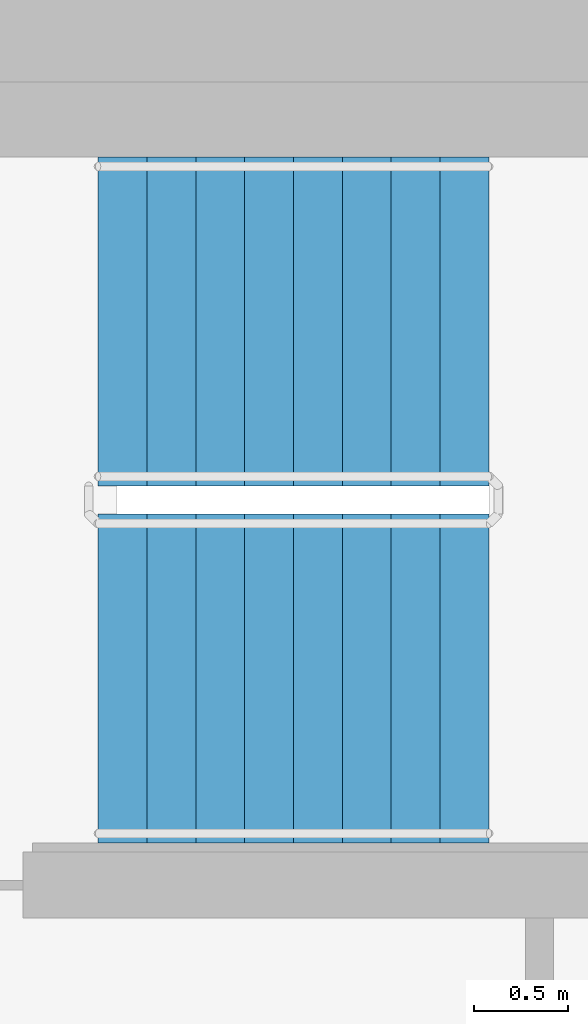
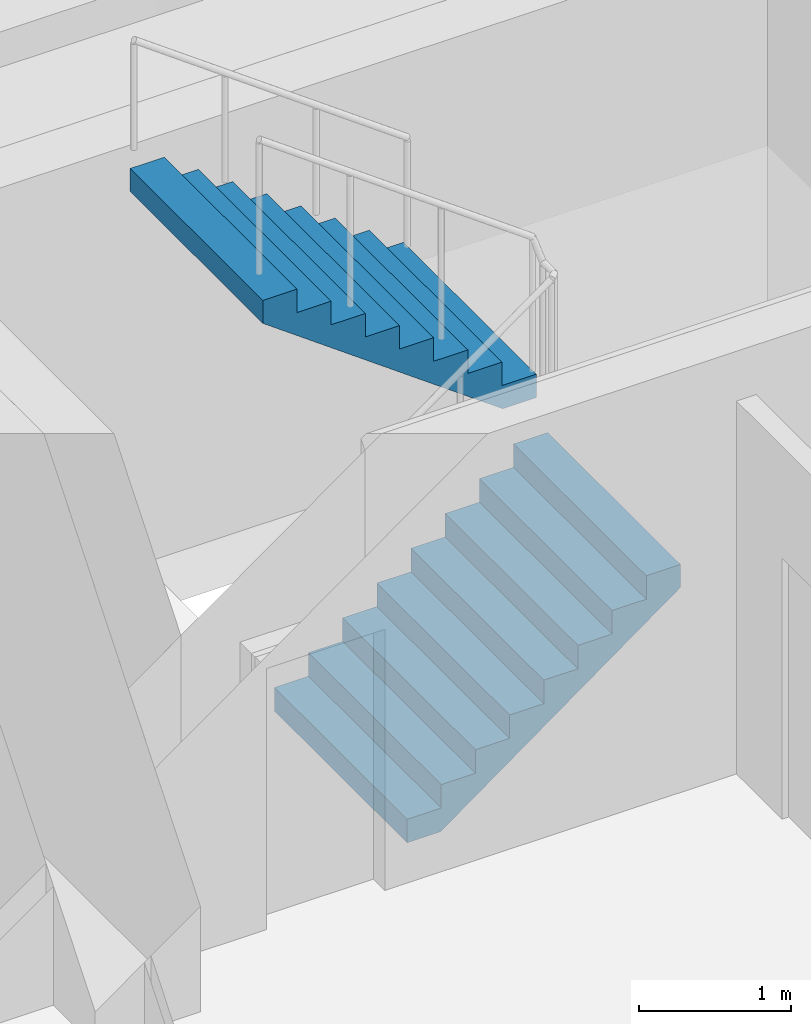
# One storey, part 14 of 19: 2 stair flights, 1 element without a shape of its own.
"""IFC4 building model written with IfcOpenShell, lengths in metres."""

import ifcopenshell
import ifcopenshell.guid

model = None  # the IFC model being written
_history = None  # IfcOwnerHistory: only IFC2X3 demands one
_inside = {}  # id of a spatial element -> (the spatial element, [elements in it])
_under = {}  # id of a project, library or spatial element -> (it, [spatial elements below it])
_declared = {}  # id of a project -> (the project, [libraries it declares])
_typed = {}  # id of a type object -> (the type object, [elements of that type])
_made_of = {}  # id of a material, layer set ... -> (it, [elements and type objects made of it])


def new_model(schema):
    """Start an empty IFC model of exactly this schema.

    Asked for "IFC4X3", IfcOpenShell would pick the latest addendum, in which some entities
    have other attributes; the version numbers below select the first issue.
    IFC2X3 requires an IfcOwnerHistory on every rooted entity: one is made here for all.
    """
    global model, _history
    if schema == "IFC4X3":
        model = ifcopenshell.file(schema_version=(4, 3, 0, 0))
    else:
        model = ifcopenshell.file(schema=schema)
    _inside.clear()
    _under.clear()
    _declared.clear()
    _typed.clear()
    _made_of.clear()
    _history = None
    if model.schema == "IFC2X3":
        org = make("IfcOrganization", Name="unknown")
        user = make(
            "IfcPersonAndOrganization",
            ThePerson=make("IfcPerson", FamilyName="unknown"),
            TheOrganization=org,
        )
        app = make(
            "IfcApplication",
            ApplicationDeveloper=org,
            Version="unknown",
            ApplicationFullName="unknown",
            ApplicationIdentifier="unknown",
        )
        _history = make(
            "IfcOwnerHistory",
            OwningUser=user,
            OwningApplication=app,
            ChangeAction="ADDED",
            CreationDate=0,
        )
    return model


def make(cls, **values):
    """One entity of the class cls with the attributes given. An attribute that is None is left unset."""
    return model.create_entity(
        cls, **{name: value for name, value in values.items() if value is not None}
    )


def rooted(cls, **values):
    """An entity with a GlobalId (a new one), such as an element, a storey or a relation."""
    return make(cls, GlobalId=ifcopenshell.guid.new(), OwnerHistory=_history, **values)


def si_unit(unit_type, name, prefix=None):
    """IfcSIUnit, for example si_unit("LENGTHUNIT", "METRE", prefix="MILLI")."""
    return make("IfcSIUnit", UnitType=unit_type, Prefix=prefix, Name=name)


def assignment(units):
    """IfcUnitAssignment: the units of a project."""
    return None if units is None else make("IfcUnitAssignment", Units=units)


def point(xyz):
    """IfcCartesianPoint."""
    return None if xyz is None else make("IfcCartesianPoint", Coordinates=xyz)


def direction(xyz):
    """IfcDirection."""
    return None if xyz is None else make("IfcDirection", DirectionRatios=xyz)


def frame(location, z_axis=None, x_axis=None):
    """IfcAxis2Placement3D, a coordinate frame: its origin and axes. An axis left out is left unset."""
    return make(
        "IfcAxis2Placement3D",
        Location=point(location),
        Axis=direction(z_axis),
        RefDirection=direction(x_axis),
    )


def origin():
    """The frame at (0, 0, 0) with its axes left unset."""
    return frame((0.0, 0.0, 0.0))


def place(relative_to, where):
    """IfcLocalPlacement: puts the frame where relative to a parent placement (None: the world)."""
    return make(
        "IfcLocalPlacement", PlacementRelTo=relative_to, RelativePlacement=where
    )


def context(
    kind, dimensions, precision=None, world=None, true_north=None, identifier=None
):
    """IfcGeometricRepresentationContext, for example the 3D "Model" context."""
    return make(
        "IfcGeometricRepresentationContext",
        ContextIdentifier=identifier,
        ContextType=kind,
        CoordinateSpaceDimension=dimensions,
        Precision=precision,
        WorldCoordinateSystem=world,
        TrueNorth=true_north,
    )


def subcontext(parent, identifier, kind, view, scale=None):
    """IfcGeometricRepresentationSubContext, for example "Body" below "Model"."""
    return make(
        "IfcGeometricRepresentationSubContext",
        ContextIdentifier=identifier,
        ContextType=kind,
        ParentContext=parent,
        TargetScale=scale,
        TargetView=view,
    )


def project(units=None, contexts=None):
    """IfcProject with its units and contexts."""
    return rooted(
        "IfcProject",
        Name="project",
        RepresentationContexts=contexts,
        UnitsInContext=assignment(units),
    )


def spatial(cls, under=None, at=None, **own):
    """A site, building, storey or space (cls), placed at a placement, below another one or the project."""
    s = rooted(cls, ObjectPlacement=at, **own)
    if under is not None:
        _under.setdefault(under.id(), (under, []))[1].append(s)
    return s


def faces_of(points, faces, orient=None, outer=None):
    """IfcFace entities. A face is a list of loops; a loop is a list of indices into points, from 0.

    orient and outer hold one flag for each loop. By default every Orientation is true, the
    first loop of a face is its IfcFaceOuterBound and the others are IfcFaceBound.
    """
    made = []
    for i, loops in enumerate(faces):
        bounds = []
        for j, loop in enumerate(loops):
            is_outer = j == 0 if outer is None else outer[i][j]
            bounds.append(
                make(
                    "IfcFaceOuterBound" if is_outer else "IfcFaceBound",
                    Bound=make("IfcPolyLoop", Polygon=[points[k] for k in loop]),
                    Orientation=True if orient is None else orient[i][j],
                )
            )
        made.append(make("IfcFace", Bounds=bounds))
    return made


def faceted_brep(points, faces, orient=None, outer=None, voids=None):
    """IfcFacetedBrep: a solid bounded by flat faces; with voids (closed shells), ...WithVoids."""
    shared = [point(p) for p in points]
    hull = make("IfcClosedShell", CfsFaces=faces_of(shared, faces, orient, outer))
    if voids is None:
        return make("IfcFacetedBrep", Outer=hull)
    return make(
        "IfcFacetedBrepWithVoids",
        Outer=hull,
        Voids=[
            make(cls, CfsFaces=faces_of(shared, fs, o, b)) for cls, fs, o, b in voids
        ],
    )


def shape(context_of_items, identifier, shape_type, items):
    """IfcShapeRepresentation: the items that make up one representation, for example the "Body"."""
    return make(
        "IfcShapeRepresentation",
        ContextOfItems=context_of_items,
        RepresentationIdentifier=identifier,
        RepresentationType=shape_type,
        Items=items,
    )


def material(Name=None, Category=None):
    """IfcMaterial."""
    return make("IfcMaterial", Name=Name, Category=Category)


def made_of(thing, what):
    """Note that an element or type object is made of a material, layer set ...; save() writes the relation."""
    if what is not None:
        _made_of.setdefault(what.id(), (what, []))[1].append(thing)
    return thing


def type_object(cls, material=None, **own):
    """A type object (cls), such as IfcWallType, which elements share."""
    return made_of(rooted(cls, **own), material)


def element(
    cls,
    number,
    at=None,
    inside=None,
    cuts=None,
    type_object=None,
    material=None,
    context=None,
    identifier="Body",
    shape_type=None,
    held_by="IfcProductDefinitionShape",
    body=None,
    shapes=None,
    **own,
):
    """One element of the class cls, such as IfcWall. Its Tag is "e" and its number.

    at: its placement. inside: the storey or other place that contains it. cuts: it is an
    opening in that element (IfcRelVoidsElement). A single representation is given by context,
    identifier, shape_type and body (its items); several are given by shapes. held_by: the class
    of the entity that holds the representations. save() writes the other relations.
    """
    e = rooted(cls, Tag="e%d" % number, ObjectPlacement=at, **own)
    if body is not None:
        shapes = [shape(context, identifier, shape_type, body)]
    if shapes is not None:
        e.Representation = make(held_by, Representations=shapes)
    if inside is not None:
        _inside.setdefault(inside.id(), (inside, []))[1].append(e)
    if cuts is not None:
        rooted(
            "IfcRelVoidsElement", RelatingBuildingElement=cuts, RelatedOpeningElement=e
        )
    if type_object is not None:
        _typed.setdefault(type_object.id(), (type_object, []))[1].append(e)
    return made_of(e, material)


def aggregate(whole, parts):
    """IfcRelAggregates: a whole, such as a stair, and the parts it consists of."""
    return rooted("IfcRelAggregates", RelatingObject=whole, RelatedObjects=parts)


def save(model, path):
    """Write the relations noted so far, then the file.

    IfcRelAggregates (storeys below a building ...), IfcRelContainedInSpatialStructure (elements
    in a storey), IfcRelDefinesByType, IfcRelAssociatesMaterial and IfcRelDeclares: one each for
    every whole, place, type object, material and project.
    """
    for whole, parts in _under.values():
        aggregate(whole, parts)
    for where, things in _inside.values():
        rooted(
            "IfcRelContainedInSpatialStructure",
            RelatedElements=things,
            RelatingStructure=where,
        )
    for kind, things in _typed.values():
        rooted("IfcRelDefinesByType", RelatedObjects=things, RelatingType=kind)
    for what, things in _made_of.values():
        rooted("IfcRelAssociatesMaterial", RelatedObjects=things, RelatingMaterial=what)
    for by, libraries in _declared.values():
        rooted("IfcRelDeclares", RelatingContext=by, RelatedDefinitions=libraries)
    model.write(path)


model = new_model("IFC4")

# Units and contexts
model_context = context("Model", 3, precision=1e-05, world=origin(), true_north=direction((0.0, 1.0)))
body_context = subcontext(model_context, "Body", "Model", "MODEL_VIEW")
ifc_project = project(units=[si_unit("LENGTHUNIT", "METRE"), si_unit("AREAUNIT", "SQUARE_METRE"), si_unit("VOLUMEUNIT", "CUBIC_METRE"), si_unit("PLANEANGLEUNIT", "RADIAN"), si_unit("MASSUNIT", "GRAM", prefix="KILO")], contexts=[model_context])

# Site, building, storey
site_placement = place(None, origin())
site = spatial("IfcSite", under=ifc_project, at=site_placement, CompositionType="ELEMENT")
building_placement = place(site_placement, origin())
building = spatial("IfcBuilding", under=site, at=building_placement, Name="Ipe Terrace Towers", CompositionType="ELEMENT")
storey_placement = place(building_placement, frame((0.0, 0.0, 174.5)))
storey = spatial("IfcBuildingStorey", under=building, at=storey_placement, Name="L48", CompositionType="ELEMENT", Elevation=174.5)

# Stair, stair flights
ifc_material_1 = material(Name="Concrete C30/37", Category="concrete")
stair_type = type_object("IfcStairType", Name="Protected exit stair", PredefinedType="HALF_TURN_STAIR", material=ifc_material_1)
stair_placement = place(storey_placement, origin())
stair = element("IfcStair", 1, at=stair_placement, inside=storey, type_object=stair_type, Name="L48 Exit stair T1-C1", PredefinedType="HALF_TURN_STAIR")
ifc_material_2 = material(Name="Concrete C30/37", Category="concrete")
stair_flight_type = type_object("IfcStairFlightType", Name="Exit stair flight 1750", PredefinedType="STRAIGHT", material=ifc_material_2)
stair_flight_1_placement = place(storey_placement, frame((-26.300048828125, 2.77490234375, 0.0), z_axis=(0.0, 0.0, 1.0), x_axis=(1.0, 0.0, 0.0)))
stair_flight_1 = element("IfcStairFlight", 2, at=stair_flight_1_placement, type_object=stair_flight_type, Name="T1-ST1 flight 1", NumberOfRisers=9, NumberOfTreads=8, PredefinedType="STRAIGHT", RiserHeight=0.188888889, TreadLength=0.26, context=body_context, shape_type="Brep", body=[
    faceted_brep([(0.255126953125, -0.875, 0.0), (2.080078125, -0.875, 1.325927734375), (2.080078125, -0.875, 1.51123046875), (1.820068359375, -0.875, 1.51123046875), (1.820068359375, -0.875, 1.322265625), (1.56005859375, -0.875, 1.322265625), (1.56005859375, -0.875, 1.13330078125), (1.300048828125, -0.875, 1.13330078125), (1.300048828125, -0.875, 0.9443359375), (1.0400390625, -0.875, 0.9443359375), (1.0400390625, -0.875, 0.755615234375), (0.780029296875, -0.875, 0.755615234375), (0.780029296875, -0.875, 0.566650390625), (0.52001953125, -0.875, 0.566650390625), (0.52001953125, -0.875, 0.377685546875), (0.260009765625, -0.875, 0.377685546875), (0.260009765625, -0.875, 0.18896484375), (0.0, -0.875, 0.18896484375), (0.0, -0.875, 0.0), (0.0, 0.875, 0.0), (0.0, 0.875, 0.18896484375), (0.260009765625, 0.875, 0.18896484375), (0.260009765625, 0.875, 0.377685546875), (0.52001953125, 0.875, 0.377685546875), (0.52001953125, 0.875, 0.566650390625), (0.780029296875, 0.875, 0.566650390625), (0.780029296875, 0.875, 0.755615234375), (1.0400390625, 0.875, 0.755615234375), (1.0400390625, 0.875, 0.9443359375), (1.300048828125, 0.875, 0.9443359375), (1.300048828125, 0.875, 1.13330078125), (1.56005859375, 0.875, 1.13330078125), (1.56005859375, 0.875, 1.322265625), (1.820068359375, 0.875, 1.322265625), (1.820068359375, 0.875, 1.51123046875), (2.080078125, 0.875, 1.51123046875), (2.080078125, 0.875, 1.325927734375), (0.255126953125, 0.875, 0.0), (0.0, -0.300048828125, 0.18896484375), (0.0, -0.1201171875, 0.18896484375), (0.0, -0.06005859375, 0.18896484375), (0.0, -0.030029296875, 0.18896484375), (0.0, -0.010009765625, 0.18896484375), (0.0, 0.0, 0.18896484375), (0.0, 0.010009765625, 0.18896484375), (0.0, 0.030029296875, 0.18896484375), (0.0, 0.06005859375, 0.18896484375), (0.0, 0.1201171875, 0.18896484375), (0.0, 0.300048828125, 0.18896484375), (0.0, 0.300048828125, 0.0), (0.0, 0.1201171875, 0.0), (0.0, 0.06005859375, 0.0), (0.0, 0.030029296875, 0.0), (0.0, 0.010009765625, 0.0), (0.0, 0.0, 0.0), (0.0, -0.010009765625, 0.0), (0.0, -0.030029296875, 0.0), (0.0, -0.06005859375, 0.0), (0.0, -0.1201171875, 0.0), (0.0, -0.300048828125, 0.0), (0.260009765625, -0.300048828125, 0.18896484375), (0.260009765625, -0.1201171875, 0.18896484375), (0.260009765625, -0.06005859375, 0.18896484375), (0.260009765625, -0.030029296875, 0.18896484375), (0.260009765625, -0.010009765625, 0.18896484375), (0.260009765625, 0.0, 0.18896484375), (0.260009765625, 0.010009765625, 0.18896484375), (0.260009765625, 0.030029296875, 0.18896484375), (0.260009765625, 0.06005859375, 0.18896484375), (0.260009765625, 0.1201171875, 0.18896484375), (0.260009765625, 0.300048828125, 0.18896484375), (0.260009765625, -0.300048828125, 0.377685546875), (0.260009765625, -0.1201171875, 0.377685546875), (0.260009765625, -0.06005859375, 0.377685546875), (0.260009765625, -0.030029296875, 0.377685546875), (0.260009765625, -0.010009765625, 0.377685546875), (0.260009765625, 0.0, 0.377685546875), (0.260009765625, 0.010009765625, 0.377685546875), (0.260009765625, 0.030029296875, 0.377685546875), (0.260009765625, 0.06005859375, 0.377685546875), (0.260009765625, 0.1201171875, 0.377685546875), (0.260009765625, 0.300048828125, 0.377685546875), (0.52001953125, -0.300048828125, 0.377685546875), (0.52001953125, -0.1201171875, 0.377685546875), (0.52001953125, -0.06005859375, 0.377685546875), (0.52001953125, -0.030029296875, 0.377685546875), (0.52001953125, -0.010009765625, 0.377685546875), (0.52001953125, 0.0, 0.377685546875), (0.52001953125, 0.010009765625, 0.377685546875), (0.52001953125, 0.030029296875, 0.377685546875), (0.52001953125, 0.06005859375, 0.377685546875), (0.52001953125, 0.1201171875, 0.377685546875), (0.52001953125, 0.300048828125, 0.377685546875), (0.52001953125, -0.300048828125, 0.566650390625), (0.52001953125, -0.1201171875, 0.566650390625), (0.52001953125, -0.06005859375, 0.566650390625), (0.52001953125, -0.030029296875, 0.566650390625), (0.52001953125, -0.010009765625, 0.566650390625), (0.52001953125, 0.0, 0.566650390625), (0.52001953125, 0.010009765625, 0.566650390625), (0.52001953125, 0.030029296875, 0.566650390625), (0.52001953125, 0.06005859375, 0.566650390625), (0.52001953125, 0.1201171875, 0.566650390625), (0.52001953125, 0.300048828125, 0.566650390625), (0.780029296875, -0.300048828125, 0.566650390625), (0.780029296875, -0.1201171875, 0.566650390625), (0.780029296875, -0.06005859375, 0.566650390625), (0.780029296875, -0.030029296875, 0.566650390625), (0.780029296875, -0.010009765625, 0.566650390625), (0.780029296875, 0.0, 0.566650390625), (0.780029296875, 0.010009765625, 0.566650390625), (0.780029296875, 0.030029296875, 0.566650390625), (0.780029296875, 0.06005859375, 0.566650390625), (0.780029296875, 0.1201171875, 0.566650390625), (0.780029296875, 0.300048828125, 0.566650390625), (0.780029296875, -0.300048828125, 0.755615234375), (0.780029296875, -0.1201171875, 0.755615234375), (0.780029296875, -0.06005859375, 0.755615234375), (0.780029296875, -0.030029296875, 0.755615234375), (0.780029296875, -0.010009765625, 0.755615234375), (0.780029296875, 0.0, 0.755615234375), (0.780029296875, 0.010009765625, 0.755615234375), (0.780029296875, 0.030029296875, 0.755615234375), (0.780029296875, 0.06005859375, 0.755615234375), (0.780029296875, 0.1201171875, 0.755615234375), (0.780029296875, 0.300048828125, 0.755615234375), (1.0400390625, -0.300048828125, 0.755615234375), (1.0400390625, -0.1201171875, 0.755615234375), (1.0400390625, -0.06005859375, 0.755615234375), (1.0400390625, -0.030029296875, 0.755615234375), (1.0400390625, -0.010009765625, 0.755615234375), (1.0400390625, 0.0, 0.755615234375), (1.0400390625, 0.010009765625, 0.755615234375), (1.0400390625, 0.030029296875, 0.755615234375), (1.0400390625, 0.06005859375, 0.755615234375), (1.0400390625, 0.1201171875, 0.755615234375), (1.0400390625, 0.300048828125, 0.755615234375), (1.0400390625, -0.300048828125, 0.9443359375), (1.0400390625, -0.1201171875, 0.9443359375), (1.0400390625, -0.06005859375, 0.9443359375), (1.0400390625, -0.030029296875, 0.9443359375), (1.0400390625, -0.010009765625, 0.9443359375), (1.0400390625, 0.0, 0.9443359375), (1.0400390625, 0.010009765625, 0.9443359375), (1.0400390625, 0.030029296875, 0.9443359375), (1.0400390625, 0.06005859375, 0.9443359375), (1.0400390625, 0.1201171875, 0.9443359375), (1.0400390625, 0.300048828125, 0.9443359375), (1.300048828125, -0.300048828125, 0.9443359375), (1.300048828125, -0.1201171875, 0.9443359375), (1.300048828125, -0.06005859375, 0.9443359375), (1.300048828125, -0.030029296875, 0.9443359375), (1.300048828125, -0.010009765625, 0.9443359375), (1.300048828125, 0.0, 0.9443359375), (1.300048828125, 0.010009765625, 0.9443359375), (1.300048828125, 0.030029296875, 0.9443359375), (1.300048828125, 0.06005859375, 0.9443359375), (1.300048828125, 0.1201171875, 0.9443359375), (1.300048828125, 0.300048828125, 0.9443359375), (1.300048828125, -0.300048828125, 1.13330078125), (1.300048828125, -0.1201171875, 1.13330078125), (1.300048828125, -0.06005859375, 1.13330078125), (1.300048828125, -0.030029296875, 1.13330078125), (1.300048828125, -0.010009765625, 1.13330078125), (1.300048828125, 0.0, 1.13330078125), (1.300048828125, 0.010009765625, 1.13330078125), (1.300048828125, 0.030029296875, 1.13330078125), (1.300048828125, 0.06005859375, 1.13330078125), (1.300048828125, 0.1201171875, 1.13330078125), (1.300048828125, 0.300048828125, 1.13330078125), (1.56005859375, -0.300048828125, 1.13330078125), (1.56005859375, -0.1201171875, 1.13330078125), (1.56005859375, -0.06005859375, 1.13330078125), (1.56005859375, -0.030029296875, 1.13330078125), (1.56005859375, -0.010009765625, 1.13330078125), (1.56005859375, 0.0, 1.13330078125), (1.56005859375, 0.010009765625, 1.13330078125), (1.56005859375, 0.030029296875, 1.13330078125), (1.56005859375, 0.06005859375, 1.13330078125), (1.56005859375, 0.1201171875, 1.13330078125), (1.56005859375, 0.300048828125, 1.13330078125), (1.56005859375, -0.300048828125, 1.322265625), (1.56005859375, -0.1201171875, 1.322265625), (1.56005859375, -0.06005859375, 1.322265625), (1.56005859375, -0.030029296875, 1.322265625), (1.56005859375, -0.010009765625, 1.322265625), (1.56005859375, 0.0, 1.322265625), (1.56005859375, 0.010009765625, 1.322265625), (1.56005859375, 0.030029296875, 1.322265625), (1.56005859375, 0.06005859375, 1.322265625), (1.56005859375, 0.1201171875, 1.322265625), (1.56005859375, 0.300048828125, 1.322265625), (1.820068359375, -0.300048828125, 1.322265625), (1.820068359375, -0.1201171875, 1.322265625), (1.820068359375, -0.06005859375, 1.322265625), (1.820068359375, -0.030029296875, 1.322265625), (1.820068359375, -0.010009765625, 1.322265625), (1.820068359375, 0.0, 1.322265625), (1.820068359375, 0.010009765625, 1.322265625), (1.820068359375, 0.030029296875, 1.322265625), (1.820068359375, 0.06005859375, 1.322265625), (1.820068359375, 0.1201171875, 1.322265625), (1.820068359375, 0.300048828125, 1.322265625), (1.820068359375, -0.300048828125, 1.51123046875), (1.820068359375, -0.1201171875, 1.51123046875), (1.820068359375, -0.06005859375, 1.51123046875), (1.820068359375, -0.030029296875, 1.51123046875), (1.820068359375, -0.010009765625, 1.51123046875), (1.820068359375, 0.0, 1.51123046875), (1.820068359375, 0.010009765625, 1.51123046875), (1.820068359375, 0.030029296875, 1.51123046875), (1.820068359375, 0.06005859375, 1.51123046875), (1.820068359375, 0.1201171875, 1.51123046875), (1.820068359375, 0.300048828125, 1.51123046875), (2.080078125, -0.300048828125, 1.51123046875), (2.080078125, -0.1201171875, 1.51123046875), (2.080078125, -0.06005859375, 1.51123046875), (2.080078125, -0.030029296875, 1.51123046875), (2.080078125, -0.010009765625, 1.51123046875), (2.080078125, 0.0, 1.51123046875), (2.080078125, 0.010009765625, 1.51123046875), (2.080078125, 0.030029296875, 1.51123046875), (2.080078125, 0.06005859375, 1.51123046875), (2.080078125, 0.1201171875, 1.51123046875), (2.080078125, 0.300048828125, 1.51123046875), (2.080078125, -0.300048828125, 1.325927734375), (2.080078125, -0.1201171875, 1.325927734375), (2.080078125, -0.06005859375, 1.325927734375), (2.080078125, -0.030029296875, 1.325927734375), (2.080078125, -0.010009765625, 1.325927734375), (2.080078125, 0.0, 1.325927734375), (2.080078125, 0.010009765625, 1.325927734375), (2.080078125, 0.030029296875, 1.325927734375), (2.080078125, 0.06005859375, 1.325927734375), (2.080078125, 0.1201171875, 1.325927734375), (2.080078125, 0.300048828125, 1.325927734375), (0.255126953125, -0.300048828125, 0.0), (0.255126953125, -0.1201171875, 0.0), (0.255126953125, -0.06005859375, 0.0), (0.255126953125, -0.030029296875, 0.0), (0.255126953125, -0.010009765625, 0.0), (0.255126953125, 0.0, 0.0), (0.255126953125, 0.010009765625, 0.0), (0.255126953125, 0.030029296875, 0.0), (0.255126953125, 0.06005859375, 0.0), (0.255126953125, 0.1201171875, 0.0), (0.255126953125, 0.300048828125, 0.0)], [[[0, 1, 2, 3, 4, 5, 6, 7, 8, 9, 10, 11, 12, 13, 14, 15, 16, 17, 18]], [[19, 20, 21, 22, 23, 24, 25, 26, 27, 28, 29, 30, 31, 32, 33, 34, 35, 36, 37]], [[17, 38, 39, 40, 41, 42, 43, 44, 45, 46, 47, 48, 20, 19, 49, 50, 51, 52, 53, 54, 55, 56, 57, 58, 59, 18]], [[16, 60, 61, 62, 63, 64, 65, 66, 67, 68, 69, 70, 21, 20, 48, 47, 46, 45, 44, 43, 42, 41, 40, 39, 38, 17]], [[15, 71, 72, 73, 74, 75, 76, 77, 78, 79, 80, 81, 22, 21, 70, 69, 68, 67, 66, 65, 64, 63, 62, 61, 60, 16]], [[14, 82, 83, 84, 85, 86, 87, 88, 89, 90, 91, 92, 23, 22, 81, 80, 79, 78, 77, 76, 75, 74, 73, 72, 71, 15]], [[13, 93, 94, 95, 96, 97, 98, 99, 100, 101, 102, 103, 24, 23, 92, 91, 90, 89, 88, 87, 86, 85, 84, 83, 82, 14]], [[12, 104, 105, 106, 107, 108, 109, 110, 111, 112, 113, 114, 25, 24, 103, 102, 101, 100, 99, 98, 97, 96, 95, 94, 93, 13]], [[11, 115, 116, 117, 118, 119, 120, 121, 122, 123, 124, 125, 26, 25, 114, 113, 112, 111, 110, 109, 108, 107, 106, 105, 104, 12]], [[10, 126, 127, 128, 129, 130, 131, 132, 133, 134, 135, 136, 27, 26, 125, 124, 123, 122, 121, 120, 119, 118, 117, 116, 115, 11]], [[9, 137, 138, 139, 140, 141, 142, 143, 144, 145, 146, 147, 28, 27, 136, 135, 134, 133, 132, 131, 130, 129, 128, 127, 126, 10]], [[8, 148, 149, 150, 151, 152, 153, 154, 155, 156, 157, 158, 29, 28, 147, 146, 145, 144, 143, 142, 141, 140, 139, 138, 137, 9]], [[7, 159, 160, 161, 162, 163, 164, 165, 166, 167, 168, 169, 30, 29, 158, 157, 156, 155, 154, 153, 152, 151, 150, 149, 148, 8]], [[6, 170, 171, 172, 173, 174, 175, 176, 177, 178, 179, 180, 31, 30, 169, 168, 167, 166, 165, 164, 163, 162, 161, 160, 159, 7]], [[5, 181, 182, 183, 184, 185, 186, 187, 188, 189, 190, 191, 32, 31, 180, 179, 178, 177, 176, 175, 174, 173, 172, 171, 170, 6]], [[4, 192, 193, 194, 195, 196, 197, 198, 199, 200, 201, 202, 33, 32, 191, 190, 189, 188, 187, 186, 185, 184, 183, 182, 181, 5]], [[3, 203, 204, 205, 206, 207, 208, 209, 210, 211, 212, 213, 34, 33, 202, 201, 200, 199, 198, 197, 196, 195, 194, 193, 192, 4]], [[2, 214, 215, 216, 217, 218, 219, 220, 221, 222, 223, 224, 35, 34, 213, 212, 211, 210, 209, 208, 207, 206, 205, 204, 203, 3]], [[1, 225, 226, 227, 228, 229, 230, 231, 232, 233, 234, 235, 36, 35, 224, 223, 222, 221, 220, 219, 218, 217, 216, 215, 214, 2]], [[0, 236, 237, 238, 239, 240, 241, 242, 243, 244, 245, 246, 37, 36, 235, 234, 233, 232, 231, 230, 229, 228, 227, 226, 225, 1]], [[18, 59, 58, 57, 56, 55, 54, 53, 52, 51, 50, 49, 19, 37, 246, 245, 244, 243, 242, 241, 240, 239, 238, 237, 236, 0]]]),
])
stair_flight_2_placement = place(storey_placement, frame((-24.219970703125, 4.675048828125, 1.699951171875), z_axis=(0.0, 0.0, 1.0), x_axis=(-1.0, 0.0, 0.0)))
stair_flight_2 = element("IfcStairFlight", 3, at=stair_flight_2_placement, type_object=stair_flight_type, Name="T1-ST1 flight 2", NumberOfRisers=9, NumberOfTreads=8, PredefinedType="STRAIGHT", RiserHeight=0.188888889, TreadLength=0.26, context=body_context, shape_type="Brep", body=[
    faceted_brep([(0.255126953125, -0.875, 0.0), (2.080078125, -0.875, 1.325927734375), (2.080078125, -0.875, 1.51123046875), (1.820068359375, -0.875, 1.51123046875), (1.820068359375, -0.875, 1.322265625), (1.56005859375, -0.875, 1.322265625), (1.56005859375, -0.875, 1.13330078125), (1.300048828125, -0.875, 1.13330078125), (1.300048828125, -0.875, 0.9443359375), (1.0400390625, -0.875, 0.9443359375), (1.0400390625, -0.875, 0.755615234375), (0.780029296875, -0.875, 0.755615234375), (0.780029296875, -0.875, 0.566650390625), (0.52001953125, -0.875, 0.566650390625), (0.52001953125, -0.875, 0.377685546875), (0.260009765625, -0.875, 0.377685546875), (0.260009765625, -0.875, 0.18896484375), (0.0, -0.875, 0.18896484375), (0.0, -0.875, 0.0), (0.0, 0.875, 0.0), (0.0, 0.875, 0.18896484375), (0.260009765625, 0.875, 0.18896484375), (0.260009765625, 0.875, 0.377685546875), (0.52001953125, 0.875, 0.377685546875), (0.52001953125, 0.875, 0.566650390625), (0.780029296875, 0.875, 0.566650390625), (0.780029296875, 0.875, 0.755615234375), (1.0400390625, 0.875, 0.755615234375), (1.0400390625, 0.875, 0.9443359375), (1.300048828125, 0.875, 0.9443359375), (1.300048828125, 0.875, 1.13330078125), (1.56005859375, 0.875, 1.13330078125), (1.56005859375, 0.875, 1.322265625), (1.820068359375, 0.875, 1.322265625), (1.820068359375, 0.875, 1.51123046875), (2.080078125, 0.875, 1.51123046875), (2.080078125, 0.875, 1.325927734375), (0.255126953125, 0.875, 0.0), (0.0, -0.300048828125, 0.18896484375), (0.0, -0.1201171875, 0.18896484375), (0.0, -0.06005859375, 0.18896484375), (0.0, -0.030029296875, 0.18896484375), (0.0, -0.010009765625, 0.18896484375), (0.0, 0.0, 0.18896484375), (0.0, 0.010009765625, 0.18896484375), (0.0, 0.030029296875, 0.18896484375), (0.0, 0.06005859375, 0.18896484375), (0.0, 0.1201171875, 0.18896484375), (0.0, 0.300048828125, 0.18896484375), (0.0, 0.300048828125, 0.0), (0.0, 0.1201171875, 0.0), (0.0, 0.06005859375, 0.0), (0.0, 0.030029296875, 0.0), (0.0, 0.010009765625, 0.0), (0.0, 0.0, 0.0), (0.0, -0.010009765625, 0.0), (0.0, -0.030029296875, 0.0), (0.0, -0.06005859375, 0.0), (0.0, -0.1201171875, 0.0), (0.0, -0.300048828125, 0.0), (0.260009765625, -0.300048828125, 0.18896484375), (0.260009765625, -0.1201171875, 0.18896484375), (0.260009765625, -0.06005859375, 0.18896484375), (0.260009765625, -0.030029296875, 0.18896484375), (0.260009765625, -0.010009765625, 0.18896484375), (0.260009765625, 0.0, 0.18896484375), (0.260009765625, 0.010009765625, 0.18896484375), (0.260009765625, 0.030029296875, 0.18896484375), (0.260009765625, 0.06005859375, 0.18896484375), (0.260009765625, 0.1201171875, 0.18896484375), (0.260009765625, 0.300048828125, 0.18896484375), (0.260009765625, -0.300048828125, 0.377685546875), (0.260009765625, -0.1201171875, 0.377685546875), (0.260009765625, -0.06005859375, 0.377685546875), (0.260009765625, -0.030029296875, 0.377685546875), (0.260009765625, -0.010009765625, 0.377685546875), (0.260009765625, 0.0, 0.377685546875), (0.260009765625, 0.010009765625, 0.377685546875), (0.260009765625, 0.030029296875, 0.377685546875), (0.260009765625, 0.06005859375, 0.377685546875), (0.260009765625, 0.1201171875, 0.377685546875), (0.260009765625, 0.300048828125, 0.377685546875), (0.52001953125, -0.300048828125, 0.377685546875), (0.52001953125, -0.1201171875, 0.377685546875), (0.52001953125, -0.06005859375, 0.377685546875), (0.52001953125, -0.030029296875, 0.377685546875), (0.52001953125, -0.010009765625, 0.377685546875), (0.52001953125, 0.0, 0.377685546875), (0.52001953125, 0.010009765625, 0.377685546875), (0.52001953125, 0.030029296875, 0.377685546875), (0.52001953125, 0.06005859375, 0.377685546875), (0.52001953125, 0.1201171875, 0.377685546875), (0.52001953125, 0.300048828125, 0.377685546875), (0.52001953125, -0.300048828125, 0.566650390625), (0.52001953125, -0.1201171875, 0.566650390625), (0.52001953125, -0.06005859375, 0.566650390625), (0.52001953125, -0.030029296875, 0.566650390625), (0.52001953125, -0.010009765625, 0.566650390625), (0.52001953125, 0.0, 0.566650390625), (0.52001953125, 0.010009765625, 0.566650390625), (0.52001953125, 0.030029296875, 0.566650390625), (0.52001953125, 0.06005859375, 0.566650390625), (0.52001953125, 0.1201171875, 0.566650390625), (0.52001953125, 0.300048828125, 0.566650390625), (0.780029296875, -0.300048828125, 0.566650390625), (0.780029296875, -0.1201171875, 0.566650390625), (0.780029296875, -0.06005859375, 0.566650390625), (0.780029296875, -0.030029296875, 0.566650390625), (0.780029296875, -0.010009765625, 0.566650390625), (0.780029296875, 0.0, 0.566650390625), (0.780029296875, 0.010009765625, 0.566650390625), (0.780029296875, 0.030029296875, 0.566650390625), (0.780029296875, 0.06005859375, 0.566650390625), (0.780029296875, 0.1201171875, 0.566650390625), (0.780029296875, 0.300048828125, 0.566650390625), (0.780029296875, -0.300048828125, 0.755615234375), (0.780029296875, -0.1201171875, 0.755615234375), (0.780029296875, -0.06005859375, 0.755615234375), (0.780029296875, -0.030029296875, 0.755615234375), (0.780029296875, -0.010009765625, 0.755615234375), (0.780029296875, 0.0, 0.755615234375), (0.780029296875, 0.010009765625, 0.755615234375), (0.780029296875, 0.030029296875, 0.755615234375), (0.780029296875, 0.06005859375, 0.755615234375), (0.780029296875, 0.1201171875, 0.755615234375), (0.780029296875, 0.300048828125, 0.755615234375), (1.0400390625, -0.300048828125, 0.755615234375), (1.0400390625, -0.1201171875, 0.755615234375), (1.0400390625, -0.06005859375, 0.755615234375), (1.0400390625, -0.030029296875, 0.755615234375), (1.0400390625, -0.010009765625, 0.755615234375), (1.0400390625, 0.0, 0.755615234375), (1.0400390625, 0.010009765625, 0.755615234375), (1.0400390625, 0.030029296875, 0.755615234375), (1.0400390625, 0.06005859375, 0.755615234375), (1.0400390625, 0.1201171875, 0.755615234375), (1.0400390625, 0.300048828125, 0.755615234375), (1.0400390625, -0.300048828125, 0.9443359375), (1.0400390625, -0.1201171875, 0.9443359375), (1.0400390625, -0.06005859375, 0.9443359375), (1.0400390625, -0.030029296875, 0.9443359375), (1.0400390625, -0.010009765625, 0.9443359375), (1.0400390625, 0.0, 0.9443359375), (1.0400390625, 0.010009765625, 0.9443359375), (1.0400390625, 0.030029296875, 0.9443359375), (1.0400390625, 0.06005859375, 0.9443359375), (1.0400390625, 0.1201171875, 0.9443359375), (1.0400390625, 0.300048828125, 0.9443359375), (1.300048828125, -0.300048828125, 0.9443359375), (1.300048828125, -0.1201171875, 0.9443359375), (1.300048828125, -0.06005859375, 0.9443359375), (1.300048828125, -0.030029296875, 0.9443359375), (1.300048828125, -0.010009765625, 0.9443359375), (1.300048828125, 0.0, 0.9443359375), (1.300048828125, 0.010009765625, 0.9443359375), (1.300048828125, 0.030029296875, 0.9443359375), (1.300048828125, 0.06005859375, 0.9443359375), (1.300048828125, 0.1201171875, 0.9443359375), (1.300048828125, 0.300048828125, 0.9443359375), (1.300048828125, -0.300048828125, 1.13330078125), (1.300048828125, -0.1201171875, 1.13330078125), (1.300048828125, -0.06005859375, 1.13330078125), (1.300048828125, -0.030029296875, 1.13330078125), (1.300048828125, -0.010009765625, 1.13330078125), (1.300048828125, 0.0, 1.13330078125), (1.300048828125, 0.010009765625, 1.13330078125), (1.300048828125, 0.030029296875, 1.13330078125), (1.300048828125, 0.06005859375, 1.13330078125), (1.300048828125, 0.1201171875, 1.13330078125), (1.300048828125, 0.300048828125, 1.13330078125), (1.56005859375, -0.300048828125, 1.13330078125), (1.56005859375, -0.1201171875, 1.13330078125), (1.56005859375, -0.06005859375, 1.13330078125), (1.56005859375, -0.030029296875, 1.13330078125), (1.56005859375, -0.010009765625, 1.13330078125), (1.56005859375, 0.0, 1.13330078125), (1.56005859375, 0.010009765625, 1.13330078125), (1.56005859375, 0.030029296875, 1.13330078125), (1.56005859375, 0.06005859375, 1.13330078125), (1.56005859375, 0.1201171875, 1.13330078125), (1.56005859375, 0.300048828125, 1.13330078125), (1.56005859375, -0.300048828125, 1.322265625), (1.56005859375, -0.1201171875, 1.322265625), (1.56005859375, -0.06005859375, 1.322265625), (1.56005859375, -0.030029296875, 1.322265625), (1.56005859375, -0.010009765625, 1.322265625), (1.56005859375, 0.0, 1.322265625), (1.56005859375, 0.010009765625, 1.322265625), (1.56005859375, 0.030029296875, 1.322265625), (1.56005859375, 0.06005859375, 1.322265625), (1.56005859375, 0.1201171875, 1.322265625), (1.56005859375, 0.300048828125, 1.322265625), (1.820068359375, -0.300048828125, 1.322265625), (1.820068359375, -0.1201171875, 1.322265625), (1.820068359375, -0.06005859375, 1.322265625), (1.820068359375, -0.030029296875, 1.322265625), (1.820068359375, -0.010009765625, 1.322265625), (1.820068359375, 0.0, 1.322265625), (1.820068359375, 0.010009765625, 1.322265625), (1.820068359375, 0.030029296875, 1.322265625), (1.820068359375, 0.06005859375, 1.322265625), (1.820068359375, 0.1201171875, 1.322265625), (1.820068359375, 0.300048828125, 1.322265625), (1.820068359375, -0.300048828125, 1.51123046875), (1.820068359375, -0.1201171875, 1.51123046875), (1.820068359375, -0.06005859375, 1.51123046875), (1.820068359375, -0.030029296875, 1.51123046875), (1.820068359375, -0.010009765625, 1.51123046875), (1.820068359375, 0.0, 1.51123046875), (1.820068359375, 0.010009765625, 1.51123046875), (1.820068359375, 0.030029296875, 1.51123046875), (1.820068359375, 0.06005859375, 1.51123046875), (1.820068359375, 0.1201171875, 1.51123046875), (1.820068359375, 0.300048828125, 1.51123046875), (2.080078125, -0.300048828125, 1.51123046875), (2.080078125, -0.1201171875, 1.51123046875), (2.080078125, -0.06005859375, 1.51123046875), (2.080078125, -0.030029296875, 1.51123046875), (2.080078125, -0.010009765625, 1.51123046875), (2.080078125, 0.0, 1.51123046875), (2.080078125, 0.010009765625, 1.51123046875), (2.080078125, 0.030029296875, 1.51123046875), (2.080078125, 0.06005859375, 1.51123046875), (2.080078125, 0.1201171875, 1.51123046875), (2.080078125, 0.300048828125, 1.51123046875), (2.080078125, -0.300048828125, 1.325927734375), (2.080078125, -0.1201171875, 1.325927734375), (2.080078125, -0.06005859375, 1.325927734375), (2.080078125, -0.030029296875, 1.325927734375), (2.080078125, -0.010009765625, 1.325927734375), (2.080078125, 0.0, 1.325927734375), (2.080078125, 0.010009765625, 1.325927734375), (2.080078125, 0.030029296875, 1.325927734375), (2.080078125, 0.06005859375, 1.325927734375), (2.080078125, 0.1201171875, 1.325927734375), (2.080078125, 0.300048828125, 1.325927734375), (0.255126953125, -0.300048828125, 0.0), (0.255126953125, -0.1201171875, 0.0), (0.255126953125, -0.06005859375, 0.0), (0.255126953125, -0.030029296875, 0.0), (0.255126953125, -0.010009765625, 0.0), (0.255126953125, 0.0, 0.0), (0.255126953125, 0.010009765625, 0.0), (0.255126953125, 0.030029296875, 0.0), (0.255126953125, 0.06005859375, 0.0), (0.255126953125, 0.1201171875, 0.0), (0.255126953125, 0.300048828125, 0.0)], [[[0, 1, 2, 3, 4, 5, 6, 7, 8, 9, 10, 11, 12, 13, 14, 15, 16, 17, 18]], [[19, 20, 21, 22, 23, 24, 25, 26, 27, 28, 29, 30, 31, 32, 33, 34, 35, 36, 37]], [[17, 38, 39, 40, 41, 42, 43, 44, 45, 46, 47, 48, 20, 19, 49, 50, 51, 52, 53, 54, 55, 56, 57, 58, 59, 18]], [[16, 60, 61, 62, 63, 64, 65, 66, 67, 68, 69, 70, 21, 20, 48, 47, 46, 45, 44, 43, 42, 41, 40, 39, 38, 17]], [[15, 71, 72, 73, 74, 75, 76, 77, 78, 79, 80, 81, 22, 21, 70, 69, 68, 67, 66, 65, 64, 63, 62, 61, 60, 16]], [[14, 82, 83, 84, 85, 86, 87, 88, 89, 90, 91, 92, 23, 22, 81, 80, 79, 78, 77, 76, 75, 74, 73, 72, 71, 15]], [[13, 93, 94, 95, 96, 97, 98, 99, 100, 101, 102, 103, 24, 23, 92, 91, 90, 89, 88, 87, 86, 85, 84, 83, 82, 14]], [[12, 104, 105, 106, 107, 108, 109, 110, 111, 112, 113, 114, 25, 24, 103, 102, 101, 100, 99, 98, 97, 96, 95, 94, 93, 13]], [[11, 115, 116, 117, 118, 119, 120, 121, 122, 123, 124, 125, 26, 25, 114, 113, 112, 111, 110, 109, 108, 107, 106, 105, 104, 12]], [[10, 126, 127, 128, 129, 130, 131, 132, 133, 134, 135, 136, 27, 26, 125, 124, 123, 122, 121, 120, 119, 118, 117, 116, 115, 11]], [[9, 137, 138, 139, 140, 141, 142, 143, 144, 145, 146, 147, 28, 27, 136, 135, 134, 133, 132, 131, 130, 129, 128, 127, 126, 10]], [[8, 148, 149, 150, 151, 152, 153, 154, 155, 156, 157, 158, 29, 28, 147, 146, 145, 144, 143, 142, 141, 140, 139, 138, 137, 9]], [[7, 159, 160, 161, 162, 163, 164, 165, 166, 167, 168, 169, 30, 29, 158, 157, 156, 155, 154, 153, 152, 151, 150, 149, 148, 8]], [[6, 170, 171, 172, 173, 174, 175, 176, 177, 178, 179, 180, 31, 30, 169, 168, 167, 166, 165, 164, 163, 162, 161, 160, 159, 7]], [[5, 181, 182, 183, 184, 185, 186, 187, 188, 189, 190, 191, 32, 31, 180, 179, 178, 177, 176, 175, 174, 173, 172, 171, 170, 6]], [[4, 192, 193, 194, 195, 196, 197, 198, 199, 200, 201, 202, 33, 32, 191, 190, 189, 188, 187, 186, 185, 184, 183, 182, 181, 5]], [[3, 203, 204, 205, 206, 207, 208, 209, 210, 211, 212, 213, 34, 33, 202, 201, 200, 199, 198, 197, 196, 195, 194, 193, 192, 4]], [[2, 214, 215, 216, 217, 218, 219, 220, 221, 222, 223, 224, 35, 34, 213, 212, 211, 210, 209, 208, 207, 206, 205, 204, 203, 3]], [[1, 225, 226, 227, 228, 229, 230, 231, 232, 233, 234, 235, 36, 35, 224, 223, 222, 221, 220, 219, 218, 217, 216, 215, 214, 2]], [[0, 236, 237, 238, 239, 240, 241, 242, 243, 244, 245, 246, 37, 36, 235, 234, 233, 232, 231, 230, 229, 228, 227, 226, 225, 1]], [[18, 59, 58, 57, 56, 55, 54, 53, 52, 51, 50, 49, 19, 37, 246, 245, 244, 243, 242, 241, 240, 239, 238, 237, 236, 0]]]),
])
aggregate(stair, [stair_flight_1, stair_flight_2])

save(model, "model.ifc")
